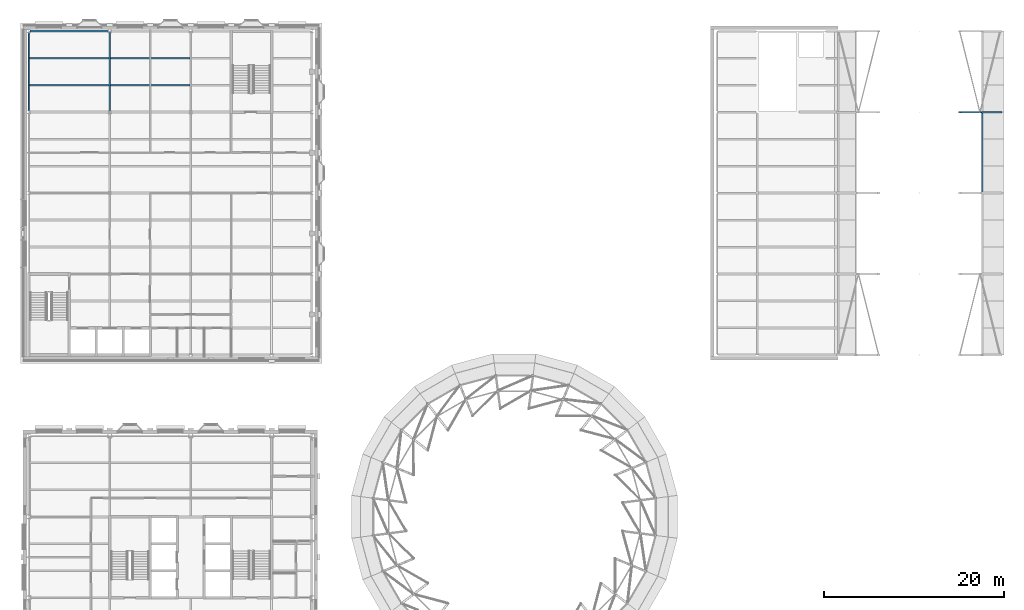
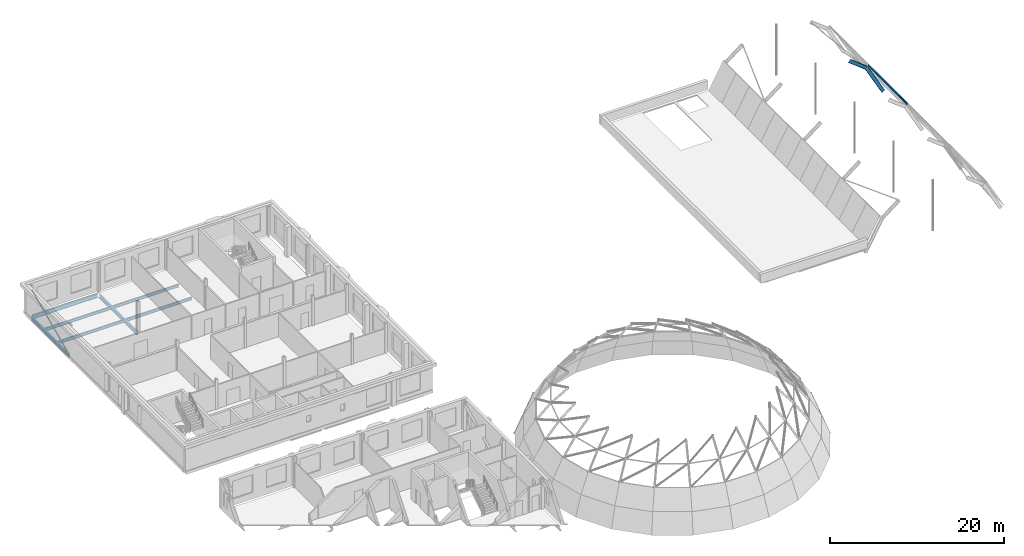
# One storey, part 21 of 62: 9 beams, 2 members.
"""IFC4 building model written with IfcOpenShell, lengths in metres."""

from ifc_helpers import new_model, si_unit, direction, frame, origin, origin_2d, place, context, subcontext, project, spatial, hollow_rectangle, hollow_circle, i_section, extrude, material, material_profile, profile_set, type_object, element, save


model = new_model("IFC4")

# Units and contexts
model_context = context("Model", 3, precision=1e-05, world=origin(), true_north=direction((0.0, 1.0)))
body_context = subcontext(model_context, "Body", "Model", "MODEL_VIEW")
ifc_project = project(units=[si_unit("LENGTHUNIT", "METRE"), si_unit("AREAUNIT", "SQUARE_METRE"), si_unit("VOLUMEUNIT", "CUBIC_METRE"), si_unit("PLANEANGLEUNIT", "RADIAN"), si_unit("MASSUNIT", "GRAM", prefix="KILO")], contexts=[model_context])

# Site, building, storey
site_placement = place(None, origin())
site = spatial("IfcSite", under=ifc_project, at=site_placement, CompositionType="ELEMENT")
building_placement = place(site_placement, origin())
building = spatial("IfcBuilding", under=site, at=building_placement, Name="Hortulan Conservatory and Botanical Research Centre", CompositionType="ELEMENT")
storey_placement = place(building_placement, frame((0.0, 0.0, 15.0)))
storey = spatial("IfcBuildingStorey", under=building, at=storey_placement, Name="L03", CompositionType="ELEMENT", Elevation=15.0)

# Member
ifc_material_1 = material(Name="Steel Grade C350L0 (350 MPa, AS/NZS 1163)", Category="steel")
ifc_material_profile_1 = material_profile(ifc_material_1, hollow_circle(Radius=0.084228515625, WallThickness=0.00634765625, at=origin_2d()), Name="168.3x6.4CHS")
ifc_profile_set_1 = profile_set([ifc_material_profile_1], Name="Steel Grade C350L0 (350 MPa, AS/NZS 1163)")
member_type_1 = type_object("IfcMemberType", Name="Brace 168.3x6.4CHS", PredefinedType="BRACE", material=ifc_profile_set_1)
member_1_placement = place(storey_placement, frame((0.0, 63.157470703125, -0.3232421875), z_axis=(0.0, 0.912288697308, 0.409547717322), x_axis=(-1.0, 0.0, 0.0)))
element("IfcMember", 1, at=member_1_placement, inside=storey, type_object=member_type_1, Name="168.3x6.4CHS brace", PredefinedType="BRACE", context=body_context, shape_type="SweptSolid", body=[
    extrude(hollow_circle(Radius=0.084228515625, WallThickness=0.00634765625, at=origin_2d()), origin(), (0.0, 0.0, 1.0), 9.52001953125),
])

# Beams
ifc_material_2 = material(Name="Steel Grade 300PLUS (AS/NZS 3679.1, 280 MPa minimum yield)", Category="steel")
ifc_material_profile_2 = material_profile(ifc_material_2, i_section(OverallWidth=0.208984375, OverallDepth=0.528076171875, WebThickness=0.009521484375, FlangeThickness=0.01318359375, FilletRadius=0.013916015625, at=origin_2d()), Name="530UB82.0")
ifc_profile_set_2 = profile_set([ifc_material_profile_2], Name="Steel Grade 300PLUS (AS/NZS 3679.1, 280 MPa minimum yield)")
beam_type_1 = type_object("IfcBeamType", Name="Primary Beam 530UB82.0", PredefinedType="BEAM", material=ifc_profile_set_2)
beam_1_placement = place(storey_placement, frame((0.0, 63.157470703125, -0.39404296875), z_axis=(0.0, 1.0, 0.0), x_axis=(-1.0, 0.0, 0.0)))
element("IfcBeam", 2, at=beam_1_placement, inside=storey, type_object=beam_type_1, Name="530UB82.0 girder", PredefinedType="BEAM", context=body_context, shape_type="SweptSolid", body=[
    extrude(i_section(OverallWidth=0.208984375, OverallDepth=0.528076171875, WebThickness=0.009521484375, FlangeThickness=0.01318359375, FilletRadius=0.013916015625, at=origin_2d()), origin(), (0.0, 0.0, 1.0), 8.68505859375),
])
beam_2_placement = place(storey_placement, frame((0.153564453125, 72.0, -0.39404296875), z_axis=(1.0, 0.0, 0.0), x_axis=(0.0, 1.0, 0.0)))
element("IfcBeam", 3, at=beam_2_placement, inside=storey, type_object=beam_type_1, Name="530UB82.0 girder", PredefinedType="BEAM", context=body_context, shape_type="SweptSolid", body=[
    extrude(i_section(OverallWidth=0.208984375, OverallDepth=0.528076171875, WebThickness=0.009521484375, FlangeThickness=0.01318359375, FilletRadius=0.013916015625, at=origin_2d()), origin(), (0.0, 0.0, 1.0), 8.68896484375),
])
ifc_material_profile_3 = material_profile(ifc_material_2, i_section(OverallWidth=0.208984375, OverallDepth=0.532958984375, WebThickness=0.01025390625, FlangeThickness=0.015625, FilletRadius=0.013916015625, at=origin_2d()), Name="530UB92.4")
ifc_profile_set_3 = profile_set([ifc_material_profile_3], Name="Steel Grade 300PLUS (AS/NZS 3679.1, 280 MPa minimum yield)")
beam_type_2 = type_object("IfcBeamType", Name="Primary Beam 530UB92.4", PredefinedType="BEAM", material=ifc_profile_set_3)
beam_3_placement = place(storey_placement, frame((9.0, 63.157470703125, -0.396484375), z_axis=(0.0, 1.0, 0.0), x_axis=(-1.0, 0.0, 0.0)))
element("IfcBeam", 4, at=beam_3_placement, inside=storey, type_object=beam_type_2, Name="530UB92.4 girder", PredefinedType="BEAM", context=body_context, shape_type="SweptSolid", body=[
    extrude(i_section(OverallWidth=0.208984375, OverallDepth=0.532958984375, WebThickness=0.01025390625, FlangeThickness=0.015625, FilletRadius=0.013916015625, at=origin_2d()), origin(), (0.0, 0.0, 1.0), 8.68896484375),
])
ifc_material_profile_4 = material_profile(ifc_material_2, i_section(OverallWidth=0.177978515625, OverallDepth=0.406005859375, WebThickness=0.0078125, FlangeThickness=0.0126953125, FilletRadius=0.011474609375, at=origin_2d()), Name="410UB59.7")
ifc_profile_set_4 = profile_set([ifc_material_profile_4], Name="Steel Grade 300PLUS (AS/NZS 3679.1, 280 MPa minimum yield)")
beam_type_3 = type_object("IfcBeamType", Name="Secondary Beam 410UB59.7", PredefinedType="JOIST", material=ifc_profile_set_4)
for number, where, z_axis, x_axis, name in (
    (5, (0.1044921875, 66.0, -0.3330078125), (1.0, 0.0, 0.0), (0.0, 1.0, 0.0), "410UB59.7 secondary beam"),
    (6, (0.1044921875, 69.0, -0.3330078125), (1.0, 0.0, 0.0), (0.0, 1.0, 0.0), "410UB59.7 secondary beam"),
    (7, (9.1044921875, 66.0, -0.3330078125), (1.0, 0.0, 0.0), (0.0, 1.0, 0.0), "410UB59.7 secondary beam"),
    (8, (9.1044921875, 69.0, -0.3330078125), (1.0, 0.0, 0.0), (0.0, 1.0, 0.0), "410UB59.7 secondary beam"),
):
    element("IfcBeam", number, at=place(storey_placement, frame(where, z_axis=z_axis, x_axis=x_axis)), inside=storey, type_object=beam_type_3, Name=name, PredefinedType="JOIST", context=body_context, shape_type="SweptSolid", body=[
        extrude(i_section(OverallWidth=0.177978515625, OverallDepth=0.406005859375, WebThickness=0.0078125, FlangeThickness=0.0126953125, FilletRadius=0.011474609375, at=origin_2d()), origin(), (0.0, 0.0, 1.0), 8.791015625),
    ])
ifc_material_profile_5 = material_profile(ifc_material_2, i_section(OverallWidth=0.18994140625, OverallDepth=0.45703125, WebThickness=0.009033203125, FlangeThickness=0.014404296875, FilletRadius=0.011474609375, at=origin_2d()), Name="460UB74.6")
ifc_profile_set_5 = profile_set([ifc_material_profile_5], Name="Steel Grade 300PLUS (AS/NZS 3679.1, 280 MPa minimum yield)")
beam_type_4 = type_object("IfcBeamType", Name="Vault Arch 460UB74.6", PredefinedType="BEAM", material=ifc_profile_set_5)
beam_4_placement = place(storey_placement, frame((103.5, 63.0, 4.8369140625), z_axis=(0.790057951817, 0.0, -0.613032162917), x_axis=(0.0, 1.0, 0.0)))
element("IfcBeam", 9, at=beam_4_placement, inside=storey, type_object=beam_type_4, Name="Vault arch 4 chord 7", PredefinedType="BEAM", context=body_context, shape_type="SweptSolid", body=[
    extrude(i_section(OverallWidth=0.18994140625, OverallDepth=0.45703125, WebThickness=0.009033203125, FlangeThickness=0.014404296875, FilletRadius=0.011474609375, at=origin_2d()), origin(), (0.0, 0.0, 1.0), 2.847900390625),
])
beam_5_placement = place(storey_placement, frame((105.75, 63.0, 3.091064453125), z_axis=(0.481904698653, 0.0, -0.876223636646), x_axis=(0.0, 1.0, 0.0)))
element("IfcBeam", 10, at=beam_5_placement, inside=storey, type_object=beam_type_4, Name="Vault arch 4 chord 8", PredefinedType="BEAM", context=body_context, shape_type="SweptSolid", body=[
    extrude(i_section(OverallWidth=0.18994140625, OverallDepth=0.45703125, WebThickness=0.009033203125, FlangeThickness=0.014404296875, FilletRadius=0.011474609375, at=origin_2d()), origin(), (0.0, 0.0, 1.0), 4.6689453125),
])

# Member
ifc_material_3 = material(Name="Steel Grade C450L0 (450 MPa, AS/NZS 1163)", Category="steel")
ifc_material_profile_6 = material_profile(ifc_material_3, hollow_rectangle(XDim=0.14990234375, YDim=0.25, WallThickness=0.009033203125, InnerFilletRadius=0.013427734375, OuterFilletRadius=0.0224609375, at=origin_2d()), Name="250x150x9RHS")
ifc_profile_set_6 = profile_set([ifc_material_profile_6], Name="Steel Grade C450L0 (450 MPa, AS/NZS 1163)")
member_type_2 = type_object("IfcMemberType", Name="Vault Purlin 250x150x9 RHS", PredefinedType="PURLIN", material=ifc_profile_set_6)
member_2_placement = place(storey_placement, frame((106.0205078125, 54.0, 3.322021484375), z_axis=(0.0, 1.0, 0.0), x_axis=(-1.0, 0.0, 0.0)))
element("IfcMember", 11, at=member_2_placement, inside=storey, type_object=member_type_2, Name="Vault purlin 7 bay 3", PredefinedType="PURLIN", context=body_context, shape_type="SweptSolid", body=[
    extrude(hollow_rectangle(XDim=0.14990234375, YDim=0.25, WallThickness=0.009033203125, InnerFilletRadius=0.013427734375, OuterFilletRadius=0.0224609375, at=origin_2d()), origin(), (0.0, 0.0, 1.0), 9.0),
])

save(model, "model.ifc")
